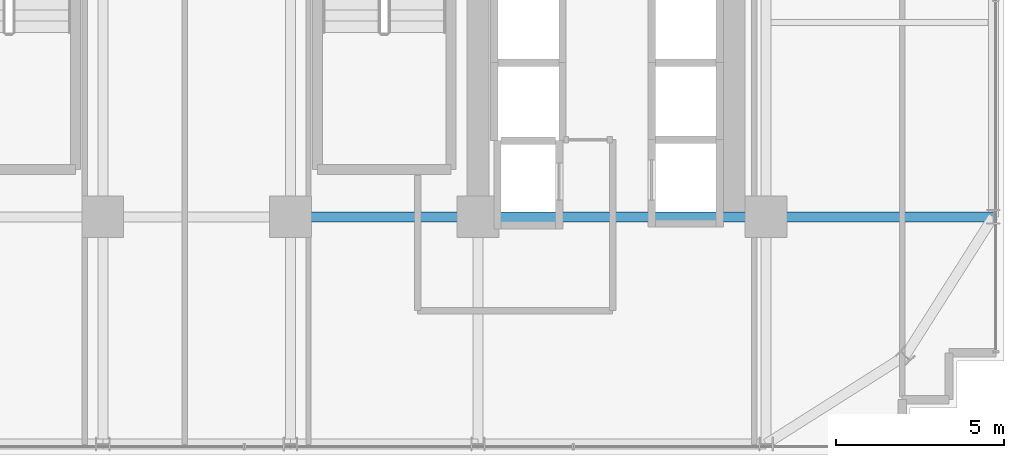
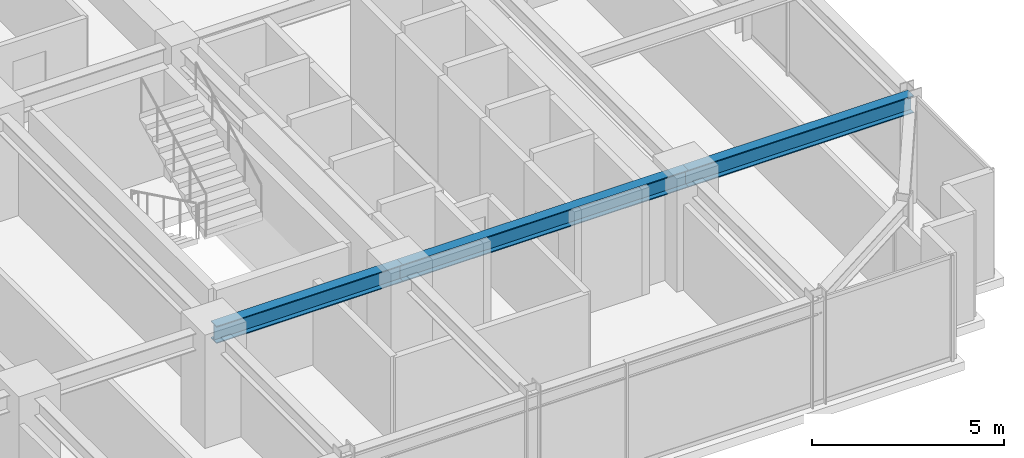
# One storey, part 12 of 32: 3 beams.
"""IFC4 building model written with IfcOpenShell, lengths in metres."""

from ifc_helpers import new_model, si_unit, direction, frame, origin, origin_2d, place, context, subcontext, project, spatial, i_section, extrude, source, transform, mapped, material, material_profile, profile_set, type_object, element, save


model = new_model("IFC4")

# Units and contexts
model_context = context("Model", 3, precision=1e-05, world=origin(), true_north=direction((0.0, 1.0)))
body_context = subcontext(model_context, "Body", "Model", "MODEL_VIEW")
ifc_project = project(units=[si_unit("LENGTHUNIT", "METRE"), si_unit("AREAUNIT", "SQUARE_METRE"), si_unit("VOLUMEUNIT", "CUBIC_METRE"), si_unit("PLANEANGLEUNIT", "RADIAN"), si_unit("MASSUNIT", "GRAM", prefix="KILO")], contexts=[model_context])

# Site, building, storey
site_placement = place(None, origin())
site = spatial("IfcSite", under=ifc_project, at=site_placement, CompositionType="ELEMENT")
building_placement = place(site_placement, origin())
building = spatial("IfcBuilding", under=site, at=building_placement, Name="Nahalor Promenade Grand Hotel", CompositionType="ELEMENT")
storey_placement = place(building_placement, frame((0.0, 0.0, 110.199951171875)))
storey = spatial("IfcBuildingStorey", under=building, at=storey_placement, Name="L27", CompositionType="ELEMENT", Elevation=110.199951171875)

# Beams
ifc_material = material(Name="Steel S355JR", Category="steel")
ifc_material_profile = material_profile(ifc_material, i_section(OverallWidth=0.3, OverallDepth=0.55, WebThickness=0.015, FlangeThickness=0.029, at=origin_2d()), Name="HEB 550")
ifc_profile_set = profile_set([ifc_material_profile], Name="Steel S355JR")
beam_type = type_object("IfcBeamType", Name="Beam-Girder-HEB550", PredefinedType="BEAM", material=ifc_profile_set)
shared_shape_1 = source(origin(), body_context, "Body", "SweptSolid", [
    extrude(i_section(OverallWidth=0.3, OverallDepth=0.55, WebThickness=0.015, FlangeThickness=0.029, at=origin_2d()), origin(), (0.0, 0.0, 1.0), 6.780029296875),
])
beam_1_placement = place(storey_placement, frame((17.0, -17.0, 3.10498046875), z_axis=(1.0, 0.0, 0.0), x_axis=(0.0, 1.0, 0.0)))
element("IfcBeam", 1, at=beam_1_placement, inside=storey, type_object=beam_type, Name="BM-L27-GX-0-6", PredefinedType="BEAM", context=body_context, shape_type="MappedRepresentation", body=[
    mapped(shared_shape_1, transform((0.0, 0.0, 0.0), scale=1.0)),
])
shared_shape_2 = source(origin(), body_context, "Body", "SweptSolid", [
    extrude(i_section(OverallWidth=0.3, OverallDepth=0.55, WebThickness=0.015, FlangeThickness=0.029, at=origin_2d()), origin(), (0.0, 0.0, 1.0), 8.60009765625),
])
beam_2_placement = place(storey_placement, frame((8.39990234375, -17.0, 3.10498046875), z_axis=(1.0, 0.0, 0.0), x_axis=(0.0, 1.0, 0.0)))
element("IfcBeam", 2, at=beam_2_placement, inside=storey, type_object=beam_type, Name="BM-L27-GX-0-5", PredefinedType="BEAM", context=body_context, shape_type="MappedRepresentation", body=[
    mapped(shared_shape_2, transform((0.0, 0.0, 0.0), scale=1.0)),
])
shared_shape_3 = source(origin(), body_context, "Body", "SweptSolid", [
    extrude(i_section(OverallWidth=0.3, OverallDepth=0.55, WebThickness=0.015, FlangeThickness=0.029, at=origin_2d()), origin(), (0.0, 0.0, 1.0), 5.599853515625),
])
beam_3_placement = place(storey_placement, frame((2.800048828125, -17.0, 3.10498046875), z_axis=(1.0, 0.0, 0.0), x_axis=(0.0, 1.0, 0.0)))
element("IfcBeam", 3, at=beam_3_placement, inside=storey, type_object=beam_type, Name="BM-L27-GX-0-4", PredefinedType="BEAM", context=body_context, shape_type="MappedRepresentation", body=[
    mapped(shared_shape_3, transform((0.0, 0.0, 0.0), scale=1.0)),
])

save(model, "model.ifc")
